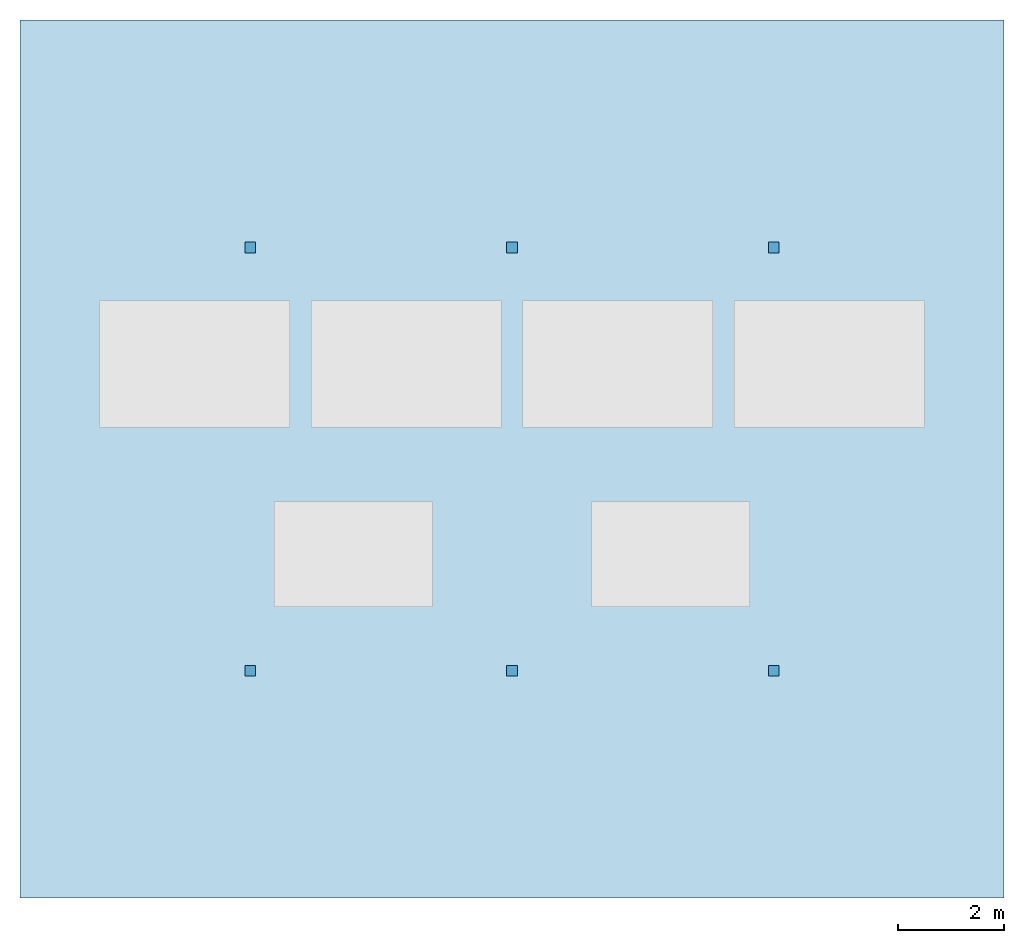
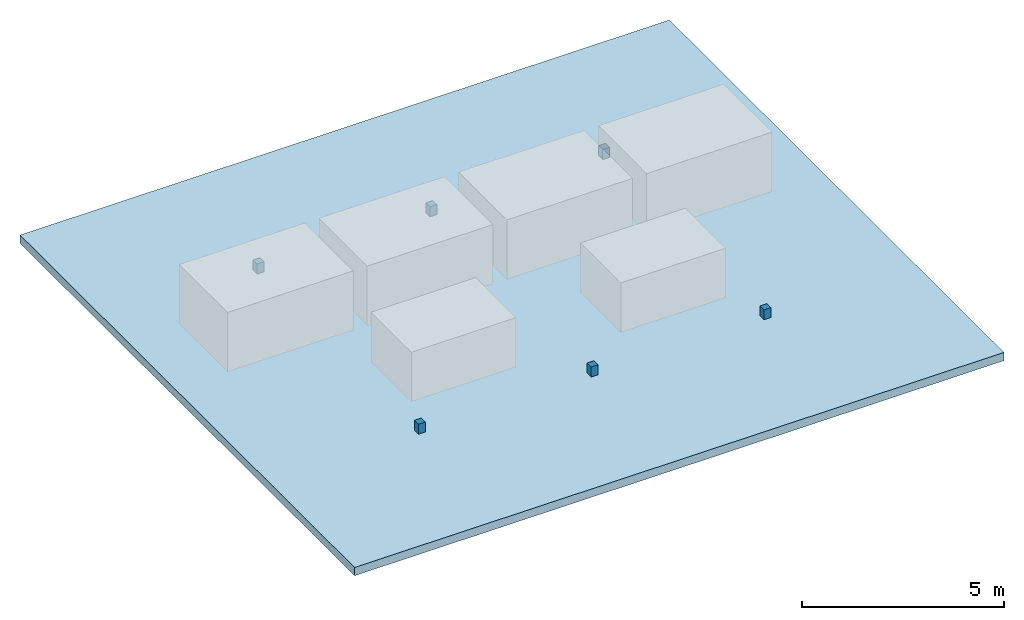
# One storey, part 1 of 2: 6 discrete accessories, 1 slab.
"""IFC4 building model written with IfcOpenShell, lengths in metres."""

from ifc_helpers import new_model, si_unit, direction, frame, origin, origin_2d, place, context, subcontext, project, spatial, polyline, rectangle, outline, extrude, material, layer, layer_set, type_object, element, save


model = new_model("IFC4")

# Units and contexts
model_context = context("Model", 3, precision=1e-05, world=origin(), true_north=direction((0.0, 1.0)))
body_context = subcontext(model_context, "Body", "Model", "MODEL_VIEW")
ifc_project = project(units=[si_unit("LENGTHUNIT", "METRE"), si_unit("AREAUNIT", "SQUARE_METRE"), si_unit("VOLUMEUNIT", "CUBIC_METRE"), si_unit("PLANEANGLEUNIT", "RADIAN"), si_unit("MASSUNIT", "GRAM", prefix="KILO")], contexts=[model_context])

# Site, building, storey
site_placement = place(None, origin())
site = spatial("IfcSite", under=ifc_project, at=site_placement, CompositionType="ELEMENT")
building_placement = place(site_placement, origin())
building = spatial("IfcBuilding", under=site, at=building_placement, Name="Hankou Lantern Tower", CompositionType="ELEMENT")
storey_placement = place(building_placement, frame((0.0, 0.0, 252.89990234375)))
storey = spatial("IfcBuildingStorey", under=building, at=storey_placement, Name="ROOF", CompositionType="ELEMENT", Elevation=252.89990234375)

# Slab
ifc_material = material(Name="Concrete C50", Category="concrete")
ifc_layer = layer(ifc_material, 0.25)
ifc_layer_set = layer_set([ifc_layer], Name="Concrete C50")
slab_type = type_object("IfcSlabType", Name="S4 CORE ROOF SLAB 250", PredefinedType="ROOF", material=ifc_layer_set)
slab_placement = place(storey_placement, frame((0.0, 0.0, -0.25)))
element("IfcSlab", 1, at=slab_placement, inside=storey, type_object=slab_type, Name="Maintenance roof core head-house RF", PredefinedType="ROOF", context=body_context, shape_type="SweptSolid", body=[
    extrude(outline(polyline([(-9.300048828125, -8.300048828125), (9.300048828125, -8.300048828125), (9.300048828125, 8.300048828125), (-9.300048828125, 8.300048828125), (-9.300048828125, -8.300048828125)])), origin(), (0.0, 0.0, 1.0), 0.25),
])

# Discrete accessories
for number, where, z_axis, x_axis, name in (
    (2, (-4.949951171875, 4.0, 0.0), (0.0, 0.0, 1.0), (1.0, 0.0, 0.0), "Fall arrest anchor post FA1 on the core head-house roof (1)"),
    (3, (0.0, 4.0, 0.0), (0.0, 0.0, 1.0), (1.0, 0.0, 0.0), "Fall arrest anchor post FA1 on the core head-house roof (2)"),
    (4, (4.949951171875, 4.0, 0.0), (0.0, 0.0, 1.0), (1.0, 0.0, 0.0), "Fall arrest anchor post FA1 on the core head-house roof (3)"),
    (5, (-4.949951171875, -4.0, 0.0), (0.0, 0.0, 1.0), (1.0, 0.0, 0.0), "Fall arrest anchor post FA1 on the core head-house roof (4)"),
    (6, (0.0, -4.0, 0.0), (0.0, 0.0, 1.0), (1.0, 0.0, 0.0), "Fall arrest anchor post FA1 on the core head-house roof (5)"),
    (7, (4.949951171875, -4.0, 0.0), (0.0, 0.0, 1.0), (1.0, 0.0, 0.0), "Fall arrest anchor post FA1 on the core head-house roof (6)"),
):
    element("IfcDiscreteAccessory", number, at=place(storey_placement, frame(where, z_axis=z_axis, x_axis=x_axis)), inside=storey, Name=name, ObjectType="FALL ARREST ANCHOR", PredefinedType="USERDEFINED", context=body_context, shape_type="SweptSolid", body=[
        extrude(rectangle(XDim=0.199951171875, YDim=0.199951171875, at=origin_2d()), origin(), (0.0, 0.0, 1.0), 0.300048828125),
    ])

save(model, "model.ifc")
